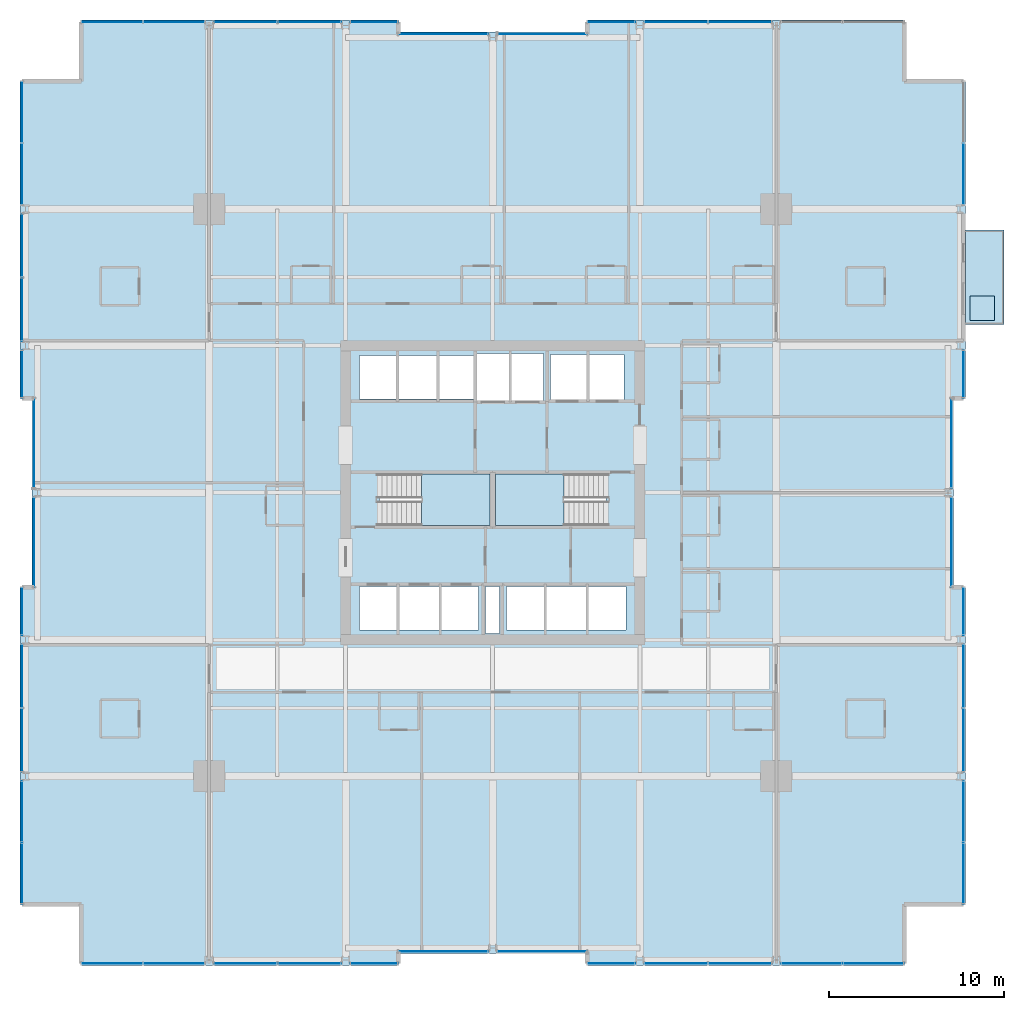
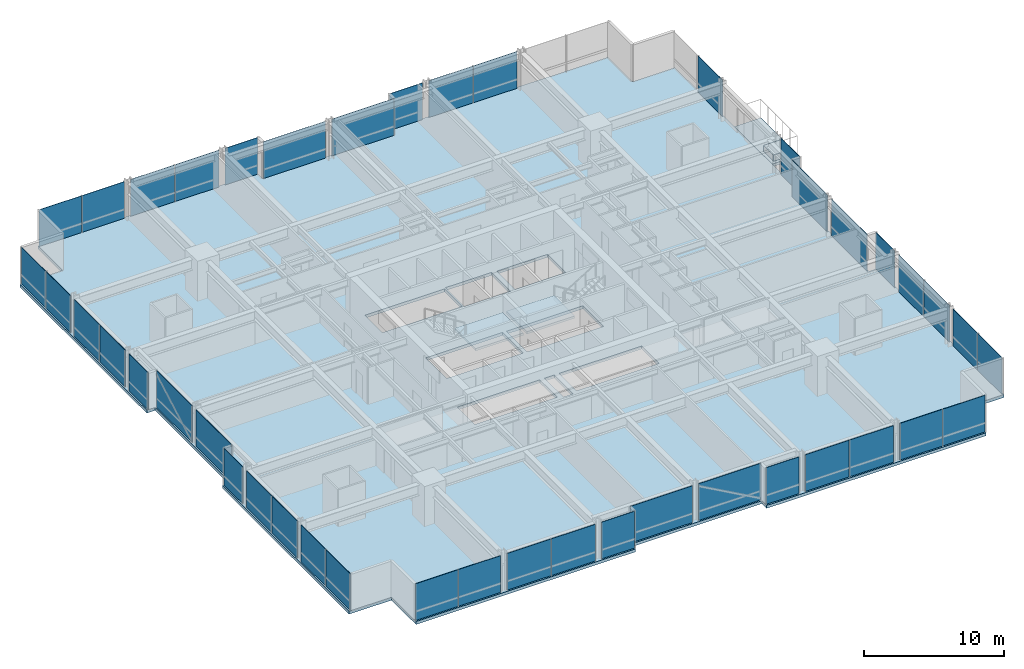
# One storey, part 29 of 37: 43 plates, 5 slabs, 32 elements without a shape of their own.
"""IFC4 building model written with IfcOpenShell, lengths in metres."""

from ifc_helpers import new_model, si_unit, direction, frame, origin, origin_2d, place, context, subcontext, project, spatial, polyline, rectangle, outline, extrude, material, layer, layer_set, type_object, element, aggregate, save


model = new_model("IFC4")

# Units and contexts
model_context = context("Model", 3, precision=1e-05, world=origin(), true_north=direction((0.0, 1.0)))
body_context = subcontext(model_context, "Body", "Model", "MODEL_VIEW")
ifc_project = project(units=[si_unit("LENGTHUNIT", "METRE"), si_unit("AREAUNIT", "SQUARE_METRE"), si_unit("VOLUMEUNIT", "CUBIC_METRE"), si_unit("PLANEANGLEUNIT", "RADIAN"), si_unit("MASSUNIT", "GRAM", prefix="KILO")], contexts=[model_context])

# Site, building, storey
site_placement = place(None, origin())
site = spatial("IfcSite", under=ifc_project, at=site_placement, CompositionType="ELEMENT")
building_placement = place(site_placement, origin())
building = spatial("IfcBuilding", under=site, at=building_placement, Name="Drelvath Grand Hotel", CompositionType="ELEMENT")
storey_placement = place(building_placement, frame((0.0, 0.0, 43.699951171875)))
storey = spatial("IfcBuildingStorey", under=building, at=storey_placement, Name="L09", CompositionType="ELEMENT", Elevation=43.699951171875)

# Slabs
ifc_material_1 = material(Name="Concrete f'c 40 MPa", Category="concrete")
ifc_layer_1 = layer(ifc_material_1, 0.239990234375)
ifc_layer_set_1 = layer_set([ifc_layer_1], Name="Concrete f'c 40 MPa")
slab_type_1 = type_object("IfcSlabType", Name="Cantilevered Tree Balcony Slab 240", PredefinedType="FLOOR", material=ifc_layer_set_1)
slab_1_placement = place(storey_placement, frame((0.0, 0.0, -0.239990234375)))
element("IfcSlab", 1, at=slab_1_placement, inside=storey, type_object=slab_type_1, Name="L09 Cantilevered Tree Balcony Slab 1", PredefinedType="FLOOR", context=body_context, shape_type="SweptSolid", body=[
    extrude(outline(polyline([(27.0, 36.60009765625), (29.199951171875, 36.60009765625), (29.199951171875, 42.0), (27.0, 42.0), (27.0, 36.60009765625)])), origin(), (0.0, 0.0, 1.0), 0.239990234375),
])
ifc_layer_2 = layer(ifc_material_1, 0.260009765625)
ifc_layer_set_2 = layer_set([ifc_layer_2], Name="Concrete f'c 40 MPa")
slab_type_2 = type_object("IfcSlabType", Name="Composite RC Floor Slab 260", PredefinedType="FLOOR", material=ifc_layer_set_2)
slab_2_placement = place(storey_placement, frame((0.0, 0.0, -0.260009765625)))
element("IfcSlab", 2, at=slab_2_placement, inside=storey, type_object=slab_type_2, Name="L09 Structural Floor Slab", PredefinedType="FLOOR", context=body_context, shape_type="SweptSolid", body=[
    extrude(outline(polyline([(-23.5, 0.0), (-5.39990234375, 0.0), (-5.39990234375, 0.679931640625), (5.39990234375, 0.679931640625), (5.39990234375, 0.0), (23.5, 0.0), (23.5, 3.5), (27.0, 3.5), (27.0, 21.60009765625), (26.320068359375, 21.60009765625), (26.320068359375, 32.39990234375), (27.0, 32.39990234375), (27.0, 50.5), (23.5, 50.5), (23.5, 54.0), (5.39990234375, 54.0), (5.39990234375, 53.320068359375), (-5.39990234375, 53.320068359375), (-5.39990234375, 54.0), (-23.5, 54.0), (-23.5, 50.5), (-27.0, 50.5), (-27.0, 32.39990234375), (-26.320068359375, 32.39990234375), (-26.320068359375, 21.60009765625), (-27.0, 21.60009765625), (-27.0, 3.5), (-23.5, 3.5), (-23.5, 0.0)]), holes=[polyline([(-6.47998046875, 25.1201171875), (-6.47998046875, 28.080078125), (-0.14990234375, 28.080078125), (-0.14990234375, 25.1201171875), (-6.47998046875, 25.1201171875)]), polyline([(0.14990234375, 25.1201171875), (0.14990234375, 28.080078125), (6.47998046875, 28.080078125), (6.47998046875, 25.1201171875), (0.14990234375, 25.1201171875)]), polyline([(-7.60009765625, 19.14990234375), (-7.60009765625, 21.64990234375), (-0.800048828125, 21.64990234375), (-0.800048828125, 19.14990234375), (-7.60009765625, 19.14990234375)]), polyline([(-0.39990234375, 18.9599609375), (-0.39990234375, 21.639892578125), (0.39990234375, 21.639892578125), (0.39990234375, 18.9599609375), (-0.39990234375, 18.9599609375)]), polyline([(0.800048828125, 19.14990234375), (0.800048828125, 21.64990234375), (7.60009765625, 21.64990234375), (7.60009765625, 19.14990234375), (0.800048828125, 19.14990234375)]), polyline([(-7.60009765625, 32.35009765625), (-7.60009765625, 34.85009765625), (-1.02001953125, 34.85009765625), (-1.02001953125, 32.35009765625), (-7.60009765625, 32.35009765625)]), polyline([(-0.89990234375, 32.25), (-0.89990234375, 34.949951171875), (2.89990234375, 34.949951171875), (2.89990234375, 32.25), (-0.89990234375, 32.25)]), polyline([(3.300048828125, 32.300048828125), (3.300048828125, 34.89990234375), (7.5, 34.89990234375), (7.5, 32.300048828125), (3.300048828125, 32.300048828125)])]), origin(), (0.0, 0.0, 1.0), 0.260009765625),
])

# Stair, slab
ifc_material_2 = material(Name="Concrete C40/50", Category="concrete")
stair_type = type_object("IfcStairType", Name="Dogleg Exit Stair W1400-R175.0", PredefinedType="HALF_TURN_STAIR", material=ifc_material_2)
stair_1_placement = place(storey_placement, origin())
stair_1 = element("IfcStair", 3, at=stair_1_placement, inside=storey, type_object=stair_type, Name="L09 Core Exit Stair ST-1", PredefinedType="HALF_TURN_STAIR")
ifc_layer_3 = layer(ifc_material_2, 0.199951171875)
ifc_layer_set_3 = layer_set([ifc_layer_3], Name="Concrete C40/50")
slab_type_3 = type_object("IfcSlabType", Name="Concrete Stair Landing Slab 200", PredefinedType="LANDING", material=ifc_layer_set_3)
slab_3_placement = place(storey_placement, frame((0.0, 0.0, 1.550048828125)))
slab_3 = element("IfcSlab", 4, at=slab_3_placement, type_object=slab_type_3, Name="ST-1 landing 1", PredefinedType="LANDING", context=body_context, shape_type="SweptSolid", body=[
    extrude(outline(polyline([(-4.080078125, 25.1201171875), (-0.14990234375, 25.1201171875), (-0.14990234375, 28.080078125), (-4.080078125, 28.080078125), (-4.080078125, 25.1201171875)])), origin(), (0.0, 0.0, 1.0), 0.199951171875),
])
aggregate(stair_1, [slab_3])

stair_2_placement = place(storey_placement, origin())
stair_2 = element("IfcStair", 5, at=stair_2_placement, inside=storey, type_object=stair_type, Name="L09 Core Exit Stair ST-2", PredefinedType="HALF_TURN_STAIR")
slab_4_placement = place(storey_placement, frame((0.0, 0.0, 1.550048828125)))
slab_4 = element("IfcSlab", 6, at=slab_4_placement, type_object=slab_type_3, Name="ST-2 landing 1", PredefinedType="LANDING", context=body_context, shape_type="SweptSolid", body=[
    extrude(outline(polyline([(4.080078125, 28.080078125), (0.14990234375, 28.080078125), (0.14990234375, 25.1201171875), (4.080078125, 25.1201171875), (4.080078125, 28.080078125)])), origin(), (0.0, 0.0, 1.0), 0.199951171875),
])
aggregate(stair_2, [slab_4])

# Curtain wall, plates
ifc_material_3 = material(Name="Warm Bronze Anodised Aluminium Frame", Category="aluminium")
ifc_layer_4 = layer(ifc_material_3, 0.199951171875)
ifc_layer_set_4 = layer_set([ifc_layer_4], Name="Warm Bronze Anodised Aluminium Frame")
curtain_wall_type = type_object("IfcCurtainWallType", Name="Stick Curtain Wall CW-02 Warm Bronze Low-Rise", PredefinedType="NOTDEFINED", material=ifc_layer_set_4)
curtain_wall_1_placement = place(storey_placement, origin())
curtain_wall_1 = element("IfcCurtainWall", 7, at=curtain_wall_1_placement, inside=storey, type_object=curtain_wall_type, Name="L09 CW-02 Curtain Wall CW02-L09-WS1", PredefinedType="NOTDEFINED")
ifc_material_4 = material(Name="Low-E Triple Silver Vision Glass Bronze Tint", Category="glass")
ifc_layer_5 = layer(ifc_material_4, 0.035888671875)
ifc_layer_set_5 = layer_set([ifc_layer_5], Name="Low-E Triple Silver Vision Glass Bronze Tint")
plate_type = type_object("IfcPlateType", Name="Curtain Wall Vision Panel CW-02 36mm", PredefinedType="CURTAIN_PANEL", material=ifc_layer_set_5)
plate_1_placement = place(storey_placement, frame((-26.8798828125, 5.264892578125, 0.02001953125), z_axis=(0.0, 0.0, 1.0), x_axis=(0.0, 1.0, 0.0)))
plate_1 = element("IfcPlate", 8, at=plate_1_placement, type_object=plate_type, Name="CW02-L09-WS1 Glazed Panel 1", PredefinedType="CURTAIN_PANEL", context=body_context, shape_type="SweptSolid", body=[
    extrude(rectangle(XDim=3.489501953125, YDim=0.035888671875, at=origin_2d()), origin(), (0.0, 0.0, 1.0), 3.199951171875),
])
plate_2_placement = place(storey_placement, frame((-26.8798828125, 8.794189453125, 0.02001953125), z_axis=(0.0, 0.0, 1.0), x_axis=(0.0, 1.0, 0.0)))
plate_2 = element("IfcPlate", 9, at=plate_2_placement, type_object=plate_type, Name="CW02-L09-WS1 Glazed Panel 2", PredefinedType="CURTAIN_PANEL", context=body_context, shape_type="SweptSolid", body=[
    extrude(rectangle(XDim=3.489501953125, YDim=0.035888671875, at=origin_2d()), origin(), (0.0, 0.0, 1.0), 3.199951171875),
])
aggregate(curtain_wall_1, [plate_1, plate_2])

curtain_wall_2_placement = place(storey_placement, origin())
curtain_wall_2 = element("IfcCurtainWall", 10, at=curtain_wall_2_placement, inside=storey, type_object=curtain_wall_type, Name="L09 CW-02 Curtain Wall CW02-L09-WS2", PredefinedType="NOTDEFINED")
plate_3_placement = place(storey_placement, frame((-26.8798828125, 12.870361328125, 0.02001953125), z_axis=(0.0, 0.0, 1.0), x_axis=(0.0, 1.0, 0.0)))
plate_3 = element("IfcPlate", 11, at=plate_3_placement, type_object=plate_type, Name="CW02-L09-WS2 Glazed Panel 1", PredefinedType="CURTAIN_PANEL", context=body_context, shape_type="SweptSolid", body=[
    extrude(rectangle(XDim=3.619140625, YDim=0.035888671875, at=origin_2d()), origin(), (0.0, 0.0, 1.0), 3.199951171875),
])
plate_4_placement = place(storey_placement, frame((-26.8798828125, 16.529541015625, 0.02001953125), z_axis=(0.0, 0.0, 1.0), x_axis=(0.0, 1.0, 0.0)))
plate_4 = element("IfcPlate", 12, at=plate_4_placement, type_object=plate_type, Name="CW02-L09-WS2 Glazed Panel 2", PredefinedType="CURTAIN_PANEL", context=body_context, shape_type="SweptSolid", body=[
    extrude(rectangle(XDim=3.619140625, YDim=0.035888671875, at=origin_2d()), origin(), (0.0, 0.0, 1.0), 3.199951171875),
])
aggregate(curtain_wall_2, [plate_3, plate_4])

# Curtain wall, plate
curtain_wall_3_placement = place(storey_placement, origin())
curtain_wall_3 = element("IfcCurtainWall", 13, at=curtain_wall_3_placement, inside=storey, type_object=curtain_wall_type, Name="L09 CW-02 Curtain Wall CW02-L09-WS3", PredefinedType="NOTDEFINED")
plate_5_placement = place(storey_placement, frame((-26.8798828125, 20.220458984375, 0.02001953125), z_axis=(0.0, 0.0, 1.0), x_axis=(0.0, 1.0, 0.0)))
plate_5 = element("IfcPlate", 14, at=plate_5_placement, type_object=plate_type, Name="CW02-L09-WS3 Glazed Panel 1", PredefinedType="CURTAIN_PANEL", context=body_context, shape_type="SweptSolid", body=[
    extrude(rectangle(XDim=2.718994140625, YDim=0.035888671875, at=origin_2d()), origin(), (0.0, 0.0, 1.0), 3.199951171875),
])
aggregate(curtain_wall_3, [plate_5])

curtain_wall_4_placement = place(storey_placement, origin())
curtain_wall_4 = element("IfcCurtainWall", 15, at=curtain_wall_4_placement, inside=storey, type_object=curtain_wall_type, Name="L09 CW-02 Curtain Wall CW02-L09-WM1", PredefinedType="NOTDEFINED")
plate_6_placement = place(storey_placement, frame((-26.199951171875, 24.179443359375, 0.02001953125), z_axis=(0.0, 0.0, 1.0), x_axis=(0.0, 1.0, 0.0)))
plate_6 = element("IfcPlate", 16, at=plate_6_placement, type_object=plate_type, Name="CW02-L09-WM1 Glazed Panel 1", PredefinedType="CURTAIN_PANEL", context=body_context, shape_type="SweptSolid", body=[
    extrude(rectangle(XDim=5.119140625, YDim=0.035888671875, at=origin_2d()), origin(), (0.0, 0.0, 1.0), 3.199951171875),
])
aggregate(curtain_wall_4, [plate_6])

curtain_wall_5_placement = place(storey_placement, origin())
curtain_wall_5 = element("IfcCurtainWall", 17, at=curtain_wall_5_placement, inside=storey, type_object=curtain_wall_type, Name="L09 CW-02 Curtain Wall CW02-L09-WM2", PredefinedType="NOTDEFINED")
plate_7_placement = place(storey_placement, frame((-26.199951171875, 29.820556640625, 0.02001953125), z_axis=(0.0, 0.0, 1.0), x_axis=(0.0, 1.0, 0.0)))
plate_7 = element("IfcPlate", 18, at=plate_7_placement, type_object=plate_type, Name="CW02-L09-WM2 Glazed Panel 1", PredefinedType="CURTAIN_PANEL", context=body_context, shape_type="SweptSolid", body=[
    extrude(rectangle(XDim=5.119140625, YDim=0.035888671875, at=origin_2d()), origin(), (0.0, 0.0, 1.0), 3.199951171875),
])
aggregate(curtain_wall_5, [plate_7])

curtain_wall_6_placement = place(storey_placement, origin())
curtain_wall_6 = element("IfcCurtainWall", 19, at=curtain_wall_6_placement, inside=storey, type_object=curtain_wall_type, Name="L09 CW-02 Curtain Wall CW02-L09-WN1", PredefinedType="NOTDEFINED")
plate_8_placement = place(storey_placement, frame((-26.8798828125, 33.779541015625, 0.02001953125), z_axis=(0.0, 0.0, 1.0), x_axis=(0.0, 1.0, 0.0)))
plate_8 = element("IfcPlate", 20, at=plate_8_placement, type_object=plate_type, Name="CW02-L09-WN1 Glazed Panel 1", PredefinedType="CURTAIN_PANEL", context=body_context, shape_type="SweptSolid", body=[
    extrude(rectangle(XDim=2.718994140625, YDim=0.035888671875, at=origin_2d()), origin(), (0.0, 0.0, 1.0), 3.199951171875),
])
aggregate(curtain_wall_6, [plate_8])

# Curtain wall, plates
curtain_wall_7_placement = place(storey_placement, origin())
curtain_wall_7 = element("IfcCurtainWall", 21, at=curtain_wall_7_placement, inside=storey, type_object=curtain_wall_type, Name="L09 CW-02 Curtain Wall CW02-L09-WN2", PredefinedType="NOTDEFINED")
plate_9_placement = place(storey_placement, frame((-26.8798828125, 37.470458984375, 0.02001953125), z_axis=(0.0, 0.0, 1.0), x_axis=(0.0, 1.0, 0.0)))
plate_9 = element("IfcPlate", 22, at=plate_9_placement, type_object=plate_type, Name="CW02-L09-WN2 Glazed Panel 1", PredefinedType="CURTAIN_PANEL", context=body_context, shape_type="SweptSolid", body=[
    extrude(rectangle(XDim=3.619140625, YDim=0.035888671875, at=origin_2d()), origin(), (0.0, 0.0, 1.0), 3.199951171875),
])
plate_10_placement = place(storey_placement, frame((-26.8798828125, 41.129638671875, 0.02001953125), z_axis=(0.0, 0.0, 1.0), x_axis=(0.0, 1.0, 0.0)))
plate_10 = element("IfcPlate", 23, at=plate_10_placement, type_object=plate_type, Name="CW02-L09-WN2 Glazed Panel 2", PredefinedType="CURTAIN_PANEL", context=body_context, shape_type="SweptSolid", body=[
    extrude(rectangle(XDim=3.619140625, YDim=0.035888671875, at=origin_2d()), origin(), (0.0, 0.0, 1.0), 3.199951171875),
])
aggregate(curtain_wall_7, [plate_9, plate_10])

curtain_wall_8_placement = place(storey_placement, origin())
curtain_wall_8 = element("IfcCurtainWall", 24, at=curtain_wall_8_placement, inside=storey, type_object=curtain_wall_type, Name="L09 CW-02 Curtain Wall CW02-L09-WN3", PredefinedType="NOTDEFINED")
plate_11_placement = place(storey_placement, frame((-26.8798828125, 45.205810546875, 0.02001953125), z_axis=(0.0, 0.0, 1.0), x_axis=(0.0, 1.0, 0.0)))
plate_11 = element("IfcPlate", 25, at=plate_11_placement, type_object=plate_type, Name="CW02-L09-WN3 Glazed Panel 1", PredefinedType="CURTAIN_PANEL", context=body_context, shape_type="SweptSolid", body=[
    extrude(rectangle(XDim=3.489501953125, YDim=0.035888671875, at=origin_2d()), origin(), (0.0, 0.0, 1.0), 3.199951171875),
])
plate_12_placement = place(storey_placement, frame((-26.8798828125, 48.735107421875, 0.02001953125), z_axis=(0.0, 0.0, 1.0), x_axis=(0.0, 1.0, 0.0)))
plate_12 = element("IfcPlate", 26, at=plate_12_placement, type_object=plate_type, Name="CW02-L09-WN3 Glazed Panel 2", PredefinedType="CURTAIN_PANEL", context=body_context, shape_type="SweptSolid", body=[
    extrude(rectangle(XDim=3.489501953125, YDim=0.035888671875, at=origin_2d()), origin(), (0.0, 0.0, 1.0), 3.199951171875),
])
aggregate(curtain_wall_8, [plate_11, plate_12])

# Curtain wall, plate
curtain_wall_9_placement = place(storey_placement, origin())
curtain_wall_9 = element("IfcCurtainWall", 27, at=curtain_wall_9_placement, inside=storey, type_object=curtain_wall_type, Name="L09 CW-02 Curtain Wall CW02-L09-EN1", PredefinedType="NOTDEFINED")
plate_13_placement = place(storey_placement, frame((26.8798828125, 33.779541015625, 0.02001953125), z_axis=(0.0, 0.0, 1.0), x_axis=(0.0, -1.0, 0.0)))
plate_13 = element("IfcPlate", 28, at=plate_13_placement, type_object=plate_type, Name="CW02-L09-EN1 Glazed Panel 1", PredefinedType="CURTAIN_PANEL", context=body_context, shape_type="SweptSolid", body=[
    extrude(rectangle(XDim=2.718994140625, YDim=0.035888671875, at=origin_2d()), origin(), (0.0, 0.0, 1.0), 3.199951171875),
])
aggregate(curtain_wall_9, [plate_13])

curtain_wall_10_placement = place(storey_placement, origin())
curtain_wall_10 = element("IfcCurtainWall", 29, at=curtain_wall_10_placement, inside=storey, type_object=curtain_wall_type, Name="L09 CW-02 Curtain Wall CW02-L09-EN3", PredefinedType="NOTDEFINED")
plate_14_placement = place(storey_placement, frame((26.8798828125, 45.205810546875, 0.02001953125), z_axis=(0.0, 0.0, 1.0), x_axis=(0.0, -1.0, 0.0)))
plate_14 = element("IfcPlate", 30, at=plate_14_placement, type_object=plate_type, Name="CW02-L09-EN3 Glazed Panel 2", PredefinedType="CURTAIN_PANEL", context=body_context, shape_type="SweptSolid", body=[
    extrude(rectangle(XDim=3.489501953125, YDim=0.035888671875, at=origin_2d()), origin(), (0.0, 0.0, 1.0), 3.199951171875),
])
aggregate(curtain_wall_10, [plate_14])

curtain_wall_11_placement = place(storey_placement, origin())
curtain_wall_11 = element("IfcCurtainWall", 31, at=curtain_wall_11_placement, inside=storey, type_object=curtain_wall_type, Name="L09 CW-02 Curtain Wall CW02-L09-EM1", PredefinedType="NOTDEFINED")
plate_15_placement = place(storey_placement, frame((26.199951171875, 24.179443359375, 0.02001953125), z_axis=(0.0, 0.0, 1.0), x_axis=(0.0, -1.0, 0.0)))
plate_15 = element("IfcPlate", 32, at=plate_15_placement, type_object=plate_type, Name="CW02-L09-EM1 Glazed Panel 1", PredefinedType="CURTAIN_PANEL", context=body_context, shape_type="SweptSolid", body=[
    extrude(rectangle(XDim=5.119140625, YDim=0.035888671875, at=origin_2d()), origin(), (0.0, 0.0, 1.0), 3.199951171875),
])
aggregate(curtain_wall_11, [plate_15])

curtain_wall_12_placement = place(storey_placement, origin())
curtain_wall_12 = element("IfcCurtainWall", 33, at=curtain_wall_12_placement, inside=storey, type_object=curtain_wall_type, Name="L09 CW-02 Curtain Wall CW02-L09-EM2", PredefinedType="NOTDEFINED")
plate_16_placement = place(storey_placement, frame((26.199951171875, 29.820556640625, 0.02001953125), z_axis=(0.0, 0.0, 1.0), x_axis=(0.0, -1.0, 0.0)))
plate_16 = element("IfcPlate", 34, at=plate_16_placement, type_object=plate_type, Name="CW02-L09-EM2 Glazed Panel 1", PredefinedType="CURTAIN_PANEL", context=body_context, shape_type="SweptSolid", body=[
    extrude(rectangle(XDim=5.119140625, YDim=0.035888671875, at=origin_2d()), origin(), (0.0, 0.0, 1.0), 3.199951171875),
])
aggregate(curtain_wall_12, [plate_16])

# Curtain wall, plates
curtain_wall_13_placement = place(storey_placement, origin())
curtain_wall_13 = element("IfcCurtainWall", 35, at=curtain_wall_13_placement, inside=storey, type_object=curtain_wall_type, Name="L09 CW-02 Curtain Wall CW02-L09-ES1", PredefinedType="NOTDEFINED")
plate_17_placement = place(storey_placement, frame((26.8798828125, 8.794189453125, 0.02001953125), z_axis=(0.0, 0.0, 1.0), x_axis=(0.0, -1.0, 0.0)))
plate_17 = element("IfcPlate", 36, at=plate_17_placement, type_object=plate_type, Name="CW02-L09-ES1 Glazed Panel 1", PredefinedType="CURTAIN_PANEL", context=body_context, shape_type="SweptSolid", body=[
    extrude(rectangle(XDim=3.489501953125, YDim=0.035888671875, at=origin_2d()), origin(), (0.0, 0.0, 1.0), 3.199951171875),
])
plate_18_placement = place(storey_placement, frame((26.8798828125, 5.264892578125, 0.02001953125), z_axis=(0.0, 0.0, 1.0), x_axis=(0.0, -1.0, 0.0)))
plate_18 = element("IfcPlate", 37, at=plate_18_placement, type_object=plate_type, Name="CW02-L09-ES1 Glazed Panel 2", PredefinedType="CURTAIN_PANEL", context=body_context, shape_type="SweptSolid", body=[
    extrude(rectangle(XDim=3.489501953125, YDim=0.035888671875, at=origin_2d()), origin(), (0.0, 0.0, 1.0), 3.199951171875),
])
aggregate(curtain_wall_13, [plate_17, plate_18])

curtain_wall_14_placement = place(storey_placement, origin())
curtain_wall_14 = element("IfcCurtainWall", 38, at=curtain_wall_14_placement, inside=storey, type_object=curtain_wall_type, Name="L09 CW-02 Curtain Wall CW02-L09-ES2", PredefinedType="NOTDEFINED")
plate_19_placement = place(storey_placement, frame((26.8798828125, 16.529541015625, 0.02001953125), z_axis=(0.0, 0.0, 1.0), x_axis=(0.0, -1.0, 0.0)))
plate_19 = element("IfcPlate", 39, at=plate_19_placement, type_object=plate_type, Name="CW02-L09-ES2 Glazed Panel 1", PredefinedType="CURTAIN_PANEL", context=body_context, shape_type="SweptSolid", body=[
    extrude(rectangle(XDim=3.619140625, YDim=0.035888671875, at=origin_2d()), origin(), (0.0, 0.0, 1.0), 3.199951171875),
])
plate_20_placement = place(storey_placement, frame((26.8798828125, 12.870361328125, 0.02001953125), z_axis=(0.0, 0.0, 1.0), x_axis=(0.0, -1.0, 0.0)))
plate_20 = element("IfcPlate", 40, at=plate_20_placement, type_object=plate_type, Name="CW02-L09-ES2 Glazed Panel 2", PredefinedType="CURTAIN_PANEL", context=body_context, shape_type="SweptSolid", body=[
    extrude(rectangle(XDim=3.619140625, YDim=0.035888671875, at=origin_2d()), origin(), (0.0, 0.0, 1.0), 3.199951171875),
])
aggregate(curtain_wall_14, [plate_19, plate_20])

# Curtain wall, plate
curtain_wall_15_placement = place(storey_placement, origin())
curtain_wall_15 = element("IfcCurtainWall", 41, at=curtain_wall_15_placement, inside=storey, type_object=curtain_wall_type, Name="L09 CW-02 Curtain Wall CW02-L09-ES3", PredefinedType="NOTDEFINED")
plate_21_placement = place(storey_placement, frame((26.8798828125, 20.220458984375, 0.02001953125), z_axis=(0.0, 0.0, 1.0), x_axis=(0.0, -1.0, 0.0)))
plate_21 = element("IfcPlate", 42, at=plate_21_placement, type_object=plate_type, Name="CW02-L09-ES3 Glazed Panel 1", PredefinedType="CURTAIN_PANEL", context=body_context, shape_type="SweptSolid", body=[
    extrude(rectangle(XDim=2.718994140625, YDim=0.035888671875, at=origin_2d()), origin(), (0.0, 0.0, 1.0), 3.199951171875),
])
aggregate(curtain_wall_15, [plate_21])

# Curtain wall, plates
curtain_wall_16_placement = place(storey_placement, origin())
curtain_wall_16 = element("IfcCurtainWall", 43, at=curtain_wall_16_placement, inside=storey, type_object=curtain_wall_type, Name="L09 CW-02 Curtain Wall CW02-L09-NW1", PredefinedType="NOTDEFINED")
plate_22_placement = place(storey_placement, frame((-21.735107421875, 53.8798828125, 0.02001953125), z_axis=(0.0, 0.0, 1.0), x_axis=(1.0, 0.0, 0.0)))
plate_22 = element("IfcPlate", 44, at=plate_22_placement, type_object=plate_type, Name="CW02-L09-NW1 Glazed Panel 1", PredefinedType="CURTAIN_PANEL", context=body_context, shape_type="SweptSolid", body=[
    extrude(rectangle(XDim=3.489501953125, YDim=0.035888671875, at=origin_2d()), origin(), (0.0, 0.0, 1.0), 3.199951171875),
])
plate_23_placement = place(storey_placement, frame((-18.205810546875, 53.8798828125, 0.02001953125), z_axis=(0.0, 0.0, 1.0), x_axis=(1.0, 0.0, 0.0)))
plate_23 = element("IfcPlate", 45, at=plate_23_placement, type_object=plate_type, Name="CW02-L09-NW1 Glazed Panel 2", PredefinedType="CURTAIN_PANEL", context=body_context, shape_type="SweptSolid", body=[
    extrude(rectangle(XDim=3.489501953125, YDim=0.035888671875, at=origin_2d()), origin(), (0.0, 0.0, 1.0), 3.199951171875),
])
aggregate(curtain_wall_16, [plate_22, plate_23])

curtain_wall_17_placement = place(storey_placement, origin())
curtain_wall_17 = element("IfcCurtainWall", 46, at=curtain_wall_17_placement, inside=storey, type_object=curtain_wall_type, Name="L09 CW-02 Curtain Wall CW02-L09-NW2", PredefinedType="NOTDEFINED")
plate_24_placement = place(storey_placement, frame((-14.129638671875, 53.8798828125, 0.02001953125), z_axis=(0.0, 0.0, 1.0), x_axis=(1.0, 0.0, 0.0)))
plate_24 = element("IfcPlate", 47, at=plate_24_placement, type_object=plate_type, Name="CW02-L09-NW2 Glazed Panel 1", PredefinedType="CURTAIN_PANEL", context=body_context, shape_type="SweptSolid", body=[
    extrude(rectangle(XDim=3.619140625, YDim=0.035888671875, at=origin_2d()), origin(), (0.0, 0.0, 1.0), 3.199951171875),
])
plate_25_placement = place(storey_placement, frame((-10.470458984375, 53.8798828125, 0.02001953125), z_axis=(0.0, 0.0, 1.0), x_axis=(1.0, 0.0, 0.0)))
plate_25 = element("IfcPlate", 48, at=plate_25_placement, type_object=plate_type, Name="CW02-L09-NW2 Glazed Panel 2", PredefinedType="CURTAIN_PANEL", context=body_context, shape_type="SweptSolid", body=[
    extrude(rectangle(XDim=3.619140625, YDim=0.035888671875, at=origin_2d()), origin(), (0.0, 0.0, 1.0), 3.199951171875),
])
aggregate(curtain_wall_17, [plate_24, plate_25])

# Curtain wall, plate
curtain_wall_18_placement = place(storey_placement, origin())
curtain_wall_18 = element("IfcCurtainWall", 49, at=curtain_wall_18_placement, inside=storey, type_object=curtain_wall_type, Name="L09 CW-02 Curtain Wall CW02-L09-NW3", PredefinedType="NOTDEFINED")
plate_26_placement = place(storey_placement, frame((-6.779541015625, 53.8798828125, 0.02001953125), z_axis=(0.0, 0.0, 1.0), x_axis=(1.0, 0.0, 0.0)))
plate_26 = element("IfcPlate", 50, at=plate_26_placement, type_object=plate_type, Name="CW02-L09-NW3 Glazed Panel 1", PredefinedType="CURTAIN_PANEL", context=body_context, shape_type="SweptSolid", body=[
    extrude(rectangle(XDim=2.718994140625, YDim=0.035888671875, at=origin_2d()), origin(), (0.0, 0.0, 1.0), 3.199951171875),
])
aggregate(curtain_wall_18, [plate_26])

curtain_wall_19_placement = place(storey_placement, origin())
curtain_wall_19 = element("IfcCurtainWall", 51, at=curtain_wall_19_placement, inside=storey, type_object=curtain_wall_type, Name="L09 CW-02 Curtain Wall CW02-L09-NM1", PredefinedType="NOTDEFINED")
plate_27_placement = place(storey_placement, frame((-2.820556640625, 53.199951171875, 0.02001953125), z_axis=(0.0, 0.0, 1.0), x_axis=(1.0, 0.0, 0.0)))
plate_27 = element("IfcPlate", 52, at=plate_27_placement, type_object=plate_type, Name="CW02-L09-NM1 Glazed Panel 1", PredefinedType="CURTAIN_PANEL", context=body_context, shape_type="SweptSolid", body=[
    extrude(rectangle(XDim=5.119140625, YDim=0.035888671875, at=origin_2d()), origin(), (0.0, 0.0, 1.0), 3.199951171875),
])
aggregate(curtain_wall_19, [plate_27])

curtain_wall_20_placement = place(storey_placement, origin())
curtain_wall_20 = element("IfcCurtainWall", 53, at=curtain_wall_20_placement, inside=storey, type_object=curtain_wall_type, Name="L09 CW-02 Curtain Wall CW02-L09-NM2", PredefinedType="NOTDEFINED")
plate_28_placement = place(storey_placement, frame((2.820556640625, 53.199951171875, 0.02001953125), z_axis=(0.0, 0.0, 1.0), x_axis=(1.0, 0.0, 0.0)))
plate_28 = element("IfcPlate", 54, at=plate_28_placement, type_object=plate_type, Name="CW02-L09-NM2 Glazed Panel 1", PredefinedType="CURTAIN_PANEL", context=body_context, shape_type="SweptSolid", body=[
    extrude(rectangle(XDim=5.119140625, YDim=0.035888671875, at=origin_2d()), origin(), (0.0, 0.0, 1.0), 3.199951171875),
])
aggregate(curtain_wall_20, [plate_28])

curtain_wall_21_placement = place(storey_placement, origin())
curtain_wall_21 = element("IfcCurtainWall", 55, at=curtain_wall_21_placement, inside=storey, type_object=curtain_wall_type, Name="L09 CW-02 Curtain Wall CW02-L09-NE1", PredefinedType="NOTDEFINED")
plate_29_placement = place(storey_placement, frame((6.779541015625, 53.8798828125, 0.02001953125), z_axis=(0.0, 0.0, 1.0), x_axis=(1.0, 0.0, 0.0)))
plate_29 = element("IfcPlate", 56, at=plate_29_placement, type_object=plate_type, Name="CW02-L09-NE1 Glazed Panel 1", PredefinedType="CURTAIN_PANEL", context=body_context, shape_type="SweptSolid", body=[
    extrude(rectangle(XDim=2.718994140625, YDim=0.035888671875, at=origin_2d()), origin(), (0.0, 0.0, 1.0), 3.199951171875),
])
aggregate(curtain_wall_21, [plate_29])

# Curtain wall, plates
curtain_wall_22_placement = place(storey_placement, origin())
curtain_wall_22 = element("IfcCurtainWall", 57, at=curtain_wall_22_placement, inside=storey, type_object=curtain_wall_type, Name="L09 CW-02 Curtain Wall CW02-L09-NE2", PredefinedType="NOTDEFINED")
plate_30_placement = place(storey_placement, frame((10.470458984375, 53.8798828125, 0.02001953125), z_axis=(0.0, 0.0, 1.0), x_axis=(1.0, 0.0, 0.0)))
plate_30 = element("IfcPlate", 58, at=plate_30_placement, type_object=plate_type, Name="CW02-L09-NE2 Glazed Panel 1", PredefinedType="CURTAIN_PANEL", context=body_context, shape_type="SweptSolid", body=[
    extrude(rectangle(XDim=3.619140625, YDim=0.035888671875, at=origin_2d()), origin(), (0.0, 0.0, 1.0), 3.199951171875),
])
plate_31_placement = place(storey_placement, frame((14.129638671875, 53.8798828125, 0.02001953125), z_axis=(0.0, 0.0, 1.0), x_axis=(1.0, 0.0, 0.0)))
plate_31 = element("IfcPlate", 59, at=plate_31_placement, type_object=plate_type, Name="CW02-L09-NE2 Glazed Panel 2", PredefinedType="CURTAIN_PANEL", context=body_context, shape_type="SweptSolid", body=[
    extrude(rectangle(XDim=3.619140625, YDim=0.035888671875, at=origin_2d()), origin(), (0.0, 0.0, 1.0), 3.199951171875),
])
aggregate(curtain_wall_22, [plate_30, plate_31])

# Curtain wall, plate
curtain_wall_23_placement = place(storey_placement, origin())
curtain_wall_23 = element("IfcCurtainWall", 60, at=curtain_wall_23_placement, inside=storey, type_object=curtain_wall_type, Name="L09 CW-02 Curtain Wall CW02-L09-SE1", PredefinedType="NOTDEFINED")
plate_32_placement = place(storey_placement, frame((6.779541015625, 0.1201171875, 0.02001953125), z_axis=(0.0, 0.0, 1.0), x_axis=(-1.0, 0.0, 0.0)))
plate_32 = element("IfcPlate", 61, at=plate_32_placement, type_object=plate_type, Name="CW02-L09-SE1 Glazed Panel 1", PredefinedType="CURTAIN_PANEL", context=body_context, shape_type="SweptSolid", body=[
    extrude(rectangle(XDim=2.718994140625, YDim=0.035888671875, at=origin_2d()), origin(), (0.0, 0.0, 1.0), 3.199951171875),
])
aggregate(curtain_wall_23, [plate_32])

# Curtain wall, plates
curtain_wall_24_placement = place(storey_placement, origin())
curtain_wall_24 = element("IfcCurtainWall", 62, at=curtain_wall_24_placement, inside=storey, type_object=curtain_wall_type, Name="L09 CW-02 Curtain Wall CW02-L09-SE2", PredefinedType="NOTDEFINED")
plate_33_placement = place(storey_placement, frame((14.129638671875, 0.1201171875, 0.02001953125), z_axis=(0.0, 0.0, 1.0), x_axis=(-1.0, 0.0, 0.0)))
plate_33 = element("IfcPlate", 63, at=plate_33_placement, type_object=plate_type, Name="CW02-L09-SE2 Glazed Panel 1", PredefinedType="CURTAIN_PANEL", context=body_context, shape_type="SweptSolid", body=[
    extrude(rectangle(XDim=3.619140625, YDim=0.035888671875, at=origin_2d()), origin(), (0.0, 0.0, 1.0), 3.199951171875),
])
plate_34_placement = place(storey_placement, frame((10.470458984375, 0.1201171875, 0.02001953125), z_axis=(0.0, 0.0, 1.0), x_axis=(-1.0, 0.0, 0.0)))
plate_34 = element("IfcPlate", 64, at=plate_34_placement, type_object=plate_type, Name="CW02-L09-SE2 Glazed Panel 2", PredefinedType="CURTAIN_PANEL", context=body_context, shape_type="SweptSolid", body=[
    extrude(rectangle(XDim=3.619140625, YDim=0.035888671875, at=origin_2d()), origin(), (0.0, 0.0, 1.0), 3.199951171875),
])
aggregate(curtain_wall_24, [plate_33, plate_34])

curtain_wall_25_placement = place(storey_placement, origin())
curtain_wall_25 = element("IfcCurtainWall", 65, at=curtain_wall_25_placement, inside=storey, type_object=curtain_wall_type, Name="L09 CW-02 Curtain Wall CW02-L09-SE3", PredefinedType="NOTDEFINED")
plate_35_placement = place(storey_placement, frame((21.735107421875, 0.1201171875, 0.02001953125), z_axis=(0.0, 0.0, 1.0), x_axis=(-1.0, 0.0, 0.0)))
plate_35 = element("IfcPlate", 66, at=plate_35_placement, type_object=plate_type, Name="CW02-L09-SE3 Glazed Panel 1", PredefinedType="CURTAIN_PANEL", context=body_context, shape_type="SweptSolid", body=[
    extrude(rectangle(XDim=3.489501953125, YDim=0.035888671875, at=origin_2d()), origin(), (0.0, 0.0, 1.0), 3.199951171875),
])
plate_36_placement = place(storey_placement, frame((18.205810546875, 0.1201171875, 0.02001953125), z_axis=(0.0, 0.0, 1.0), x_axis=(-1.0, 0.0, 0.0)))
plate_36 = element("IfcPlate", 67, at=plate_36_placement, type_object=plate_type, Name="CW02-L09-SE3 Glazed Panel 2", PredefinedType="CURTAIN_PANEL", context=body_context, shape_type="SweptSolid", body=[
    extrude(rectangle(XDim=3.489501953125, YDim=0.035888671875, at=origin_2d()), origin(), (0.0, 0.0, 1.0), 3.199951171875),
])
aggregate(curtain_wall_25, [plate_35, plate_36])

# Curtain wall, plate
curtain_wall_26_placement = place(storey_placement, origin())
curtain_wall_26 = element("IfcCurtainWall", 68, at=curtain_wall_26_placement, inside=storey, type_object=curtain_wall_type, Name="L09 CW-02 Curtain Wall CW02-L09-SM1", PredefinedType="NOTDEFINED")
plate_37_placement = place(storey_placement, frame((-2.820556640625, 0.800048828125, 0.02001953125), z_axis=(0.0, 0.0, 1.0), x_axis=(-1.0, 0.0, 0.0)))
plate_37 = element("IfcPlate", 69, at=plate_37_placement, type_object=plate_type, Name="CW02-L09-SM1 Glazed Panel 1", PredefinedType="CURTAIN_PANEL", context=body_context, shape_type="SweptSolid", body=[
    extrude(rectangle(XDim=5.119140625, YDim=0.035888671875, at=origin_2d()), origin(), (0.0, 0.0, 1.0), 3.199951171875),
])
aggregate(curtain_wall_26, [plate_37])

curtain_wall_27_placement = place(storey_placement, origin())
curtain_wall_27 = element("IfcCurtainWall", 70, at=curtain_wall_27_placement, inside=storey, type_object=curtain_wall_type, Name="L09 CW-02 Curtain Wall CW02-L09-SM2", PredefinedType="NOTDEFINED")
plate_38_placement = place(storey_placement, frame((2.820556640625, 0.800048828125, 0.02001953125), z_axis=(0.0, 0.0, 1.0), x_axis=(-1.0, 0.0, 0.0)))
plate_38 = element("IfcPlate", 71, at=plate_38_placement, type_object=plate_type, Name="CW02-L09-SM2 Glazed Panel 1", PredefinedType="CURTAIN_PANEL", context=body_context, shape_type="SweptSolid", body=[
    extrude(rectangle(XDim=5.119140625, YDim=0.035888671875, at=origin_2d()), origin(), (0.0, 0.0, 1.0), 3.199951171875),
])
aggregate(curtain_wall_27, [plate_38])

# Curtain wall, plates
curtain_wall_28_placement = place(storey_placement, origin())
curtain_wall_28 = element("IfcCurtainWall", 72, at=curtain_wall_28_placement, inside=storey, type_object=curtain_wall_type, Name="L09 CW-02 Curtain Wall CW02-L09-SW1", PredefinedType="NOTDEFINED")
plate_39_placement = place(storey_placement, frame((-18.205810546875, 0.1201171875, 0.02001953125), z_axis=(0.0, 0.0, 1.0), x_axis=(-1.0, 0.0, 0.0)))
plate_39 = element("IfcPlate", 73, at=plate_39_placement, type_object=plate_type, Name="CW02-L09-SW1 Glazed Panel 1", PredefinedType="CURTAIN_PANEL", context=body_context, shape_type="SweptSolid", body=[
    extrude(rectangle(XDim=3.489501953125, YDim=0.035888671875, at=origin_2d()), origin(), (0.0, 0.0, 1.0), 3.199951171875),
])
plate_40_placement = place(storey_placement, frame((-21.735107421875, 0.1201171875, 0.02001953125), z_axis=(0.0, 0.0, 1.0), x_axis=(-1.0, 0.0, 0.0)))
plate_40 = element("IfcPlate", 74, at=plate_40_placement, type_object=plate_type, Name="CW02-L09-SW1 Glazed Panel 2", PredefinedType="CURTAIN_PANEL", context=body_context, shape_type="SweptSolid", body=[
    extrude(rectangle(XDim=3.489501953125, YDim=0.035888671875, at=origin_2d()), origin(), (0.0, 0.0, 1.0), 3.199951171875),
])
aggregate(curtain_wall_28, [plate_39, plate_40])

curtain_wall_29_placement = place(storey_placement, origin())
curtain_wall_29 = element("IfcCurtainWall", 75, at=curtain_wall_29_placement, inside=storey, type_object=curtain_wall_type, Name="L09 CW-02 Curtain Wall CW02-L09-SW2", PredefinedType="NOTDEFINED")
plate_41_placement = place(storey_placement, frame((-10.470458984375, 0.1201171875, 0.02001953125), z_axis=(0.0, 0.0, 1.0), x_axis=(-1.0, 0.0, 0.0)))
plate_41 = element("IfcPlate", 76, at=plate_41_placement, type_object=plate_type, Name="CW02-L09-SW2 Glazed Panel 1", PredefinedType="CURTAIN_PANEL", context=body_context, shape_type="SweptSolid", body=[
    extrude(rectangle(XDim=3.619140625, YDim=0.035888671875, at=origin_2d()), origin(), (0.0, 0.0, 1.0), 3.199951171875),
])
plate_42_placement = place(storey_placement, frame((-14.129638671875, 0.1201171875, 0.02001953125), z_axis=(0.0, 0.0, 1.0), x_axis=(-1.0, 0.0, 0.0)))
plate_42 = element("IfcPlate", 77, at=plate_42_placement, type_object=plate_type, Name="CW02-L09-SW2 Glazed Panel 2", PredefinedType="CURTAIN_PANEL", context=body_context, shape_type="SweptSolid", body=[
    extrude(rectangle(XDim=3.619140625, YDim=0.035888671875, at=origin_2d()), origin(), (0.0, 0.0, 1.0), 3.199951171875),
])
aggregate(curtain_wall_29, [plate_41, plate_42])

# Curtain wall, plate
curtain_wall_30_placement = place(storey_placement, origin())
curtain_wall_30 = element("IfcCurtainWall", 78, at=curtain_wall_30_placement, inside=storey, type_object=curtain_wall_type, Name="L09 CW-02 Curtain Wall CW02-L09-SW3", PredefinedType="NOTDEFINED")
plate_43_placement = place(storey_placement, frame((-6.779541015625, 0.1201171875, 0.02001953125), z_axis=(0.0, 0.0, 1.0), x_axis=(-1.0, 0.0, 0.0)))
plate_43 = element("IfcPlate", 79, at=plate_43_placement, type_object=plate_type, Name="CW02-L09-SW3 Glazed Panel 1", PredefinedType="CURTAIN_PANEL", context=body_context, shape_type="SweptSolid", body=[
    extrude(rectangle(XDim=2.718994140625, YDim=0.035888671875, at=origin_2d()), origin(), (0.0, 0.0, 1.0), 3.199951171875),
])
aggregate(curtain_wall_30, [plate_43])

# Slab
ifc_layer_6 = layer(ifc_material_1, 0.550048828125)
ifc_layer_set_6 = layer_set([ifc_layer_6], Name="Concrete f'c 40 MPa")
slab_type_4 = type_object("IfcSlabType", Name="Structural Tree Planter Box 550", PredefinedType="USERDEFINED", material=ifc_layer_set_6)
slab_5_placement = place(storey_placement, origin())
element("IfcSlab", 80, at=slab_5_placement, inside=storey, type_object=slab_type_4, Name="L09 Tree Balcony Structural Planter 1", ObjectType="PLANTER", PredefinedType="USERDEFINED", context=body_context, shape_type="SweptSolid", body=[
    extrude(outline(polyline([(27.25, 36.85009765625), (28.64990234375, 36.85009765625), (28.64990234375, 38.25), (27.25, 38.25), (27.25, 36.85009765625)])), origin(), (0.0, 0.0, 1.0), 0.550048828125),
])

save(model, "model.ifc")
